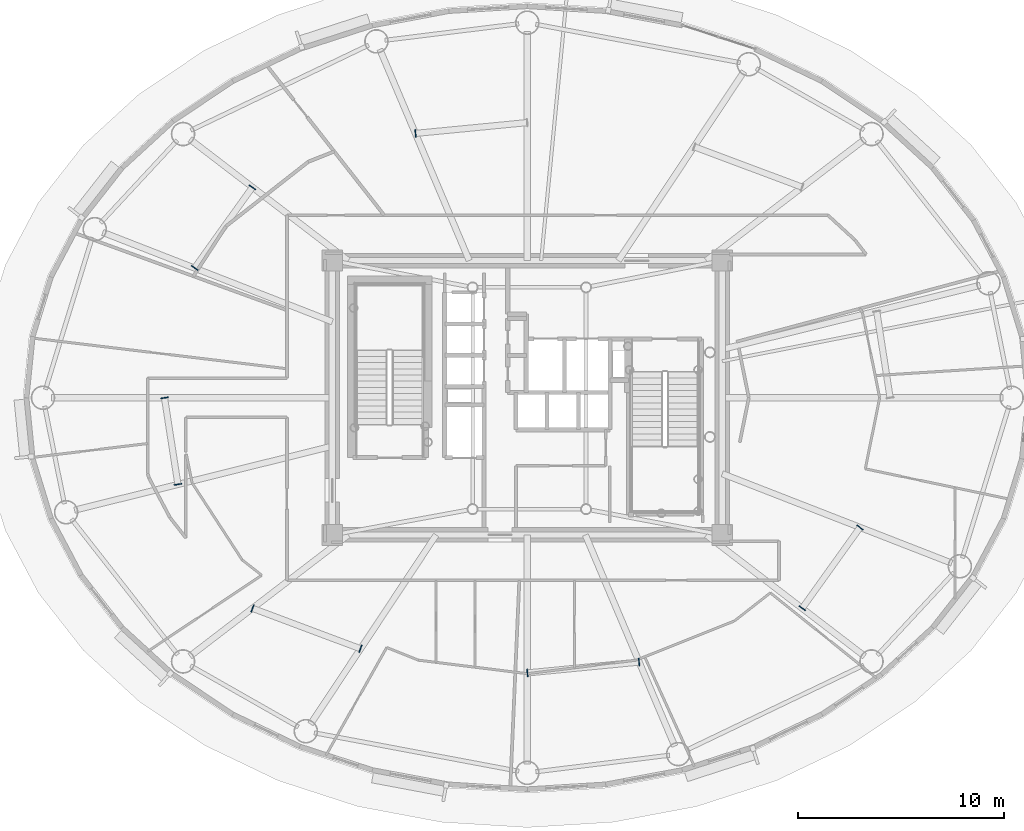
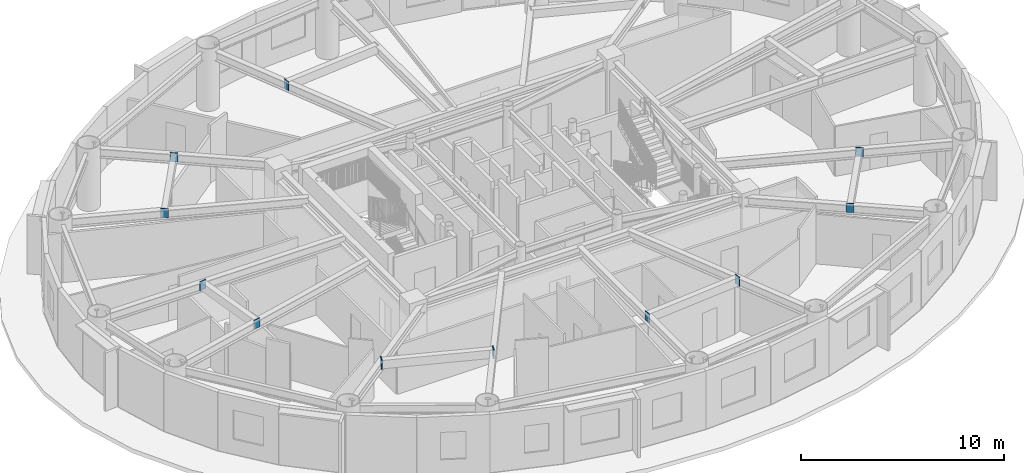
# One storey, part 7 of 19: 11 plates.
"""IFC4 building model written with IfcOpenShell, lengths in metres."""

from ifc_helpers import new_model, si_unit, direction, frame, origin, origin_2d, place, context, subcontext, project, spatial, rectangle, extrude, source, transform, mapped, material, layer, layer_set, type_object, element, save


model = new_model("IFC4")

# Units and contexts
model_context = context("Model", 3, precision=1e-05, world=origin(), true_north=direction((0.0, 1.0)))
body_context = subcontext(model_context, "Body", "Model", "MODEL_VIEW")
ifc_project = project(units=[si_unit("LENGTHUNIT", "METRE"), si_unit("AREAUNIT", "SQUARE_METRE"), si_unit("VOLUMEUNIT", "CUBIC_METRE"), si_unit("PLANEANGLEUNIT", "RADIAN"), si_unit("MASSUNIT", "GRAM", prefix="KILO")], contexts=[model_context])

# Site, building, storey
site_placement = place(None, origin())
site = spatial("IfcSite", under=ifc_project, at=site_placement, CompositionType="ELEMENT")
building_placement = place(site_placement, origin())
building = spatial("IfcBuilding", under=site, at=building_placement, Name="Linh Dai School and Residence Tower", CompositionType="ELEMENT")
storey_placement = place(building_placement, frame((0.0, 0.0, 210.300048828125)))
storey = spatial("IfcBuildingStorey", under=building, at=storey_placement, Name="L51", CompositionType="ELEMENT", Elevation=210.300048828125)

# Plates
ifc_material = material(Name="Structural Steel S355JR", Category="steel")
ifc_layer = layer(ifc_material, 0.0400390625)
ifc_layer_set = layer_set([ifc_layer], Name="Structural Steel S355JR")
plate_type = type_object("IfcPlateType", Name="PLT-GP1", PredefinedType="USERDEFINED", material=ifc_layer_set)
shared_shape = source(origin(), body_context, "Body", "SweptSolid", [
    extrude(rectangle(XDim=0.0400390625, YDim=0.3798828125, at=origin_2d()), origin(), (0.0, 0.0, 1.0), 0.5400390625),
])
for number, where, z_axis, x_axis, name in (
    (1, (30.581787109375, 39.81201171875, 2.97998046875), (0.0, 0.0, 1.0), (-0.995333315624, -0.096496584447, 0.0), "L51 Secondary Beam End Plate 03B"),
    (2, (22.675048828125, 37.201904296875, 2.97998046875), (0.0, 0.0, 1.0), (-0.582040406941, -0.813159864164, 0.0), "L51 Secondary Beam End Plate 04A"),
    (3, (19.8740234375, 33.28857421875, 2.97998046875), (0.0, 0.0, 1.0), (-0.582040406941, -0.813159864164, 0.0), "L51 Secondary Beam End Plate 04B"),
    (4, (18.416259765625, 26.9951171875, 2.97998046875), (0.0, 0.0, 1.0), (0.153185627242, -0.988197431492, 0.0), "L51 Secondary Beam End Plate 05A"),
    (5, (19.06640625, 22.801025390625, 2.97998046875), (0.0, 0.0, 1.0), (0.153185627242, -0.988197431492, 0.0), "L51 Secondary Beam End Plate 05B"),
    (6, (22.6826171875, 16.792236328125, 2.97998046875), (0.0, 0.0, 1.0), (0.936533727109, -0.35057749213, 0.0), "L51 Secondary Beam End Plate 06A"),
    (7, (27.914306640625, 14.833984375, 2.97998046875), (0.0, 0.0, 1.0), (0.936533727109, -0.35057749213, 0.0), "L51 Secondary Beam End Plate 06B"),
    (8, (36.0048828125, 13.6630859375, 2.97998046875), (0.0, 0.0, 1.0), (0.995333315624, 0.096496584447, 0.0), "L51 Secondary Beam End Plate 07A"),
    (9, (41.418212890625, 14.18798828125, 2.97998046875), (0.0, 0.0, 1.0), (0.995333315624, 0.096496584447, 0.0), "L51 Secondary Beam End Plate 07B"),
    (10, (49.324951171875, 16.798095703125, 2.97998046875), (0.0, 0.0, 1.0), (0.582040406941, 0.813159864164, 0.0), "L51 Secondary Beam End Plate 08A"),
    (11, (52.1259765625, 20.71142578125, 2.97998046875), (0.0, 0.0, 1.0), (0.582040406941, 0.813159864164, 0.0), "L51 Secondary Beam End Plate 08B"),
):
    element("IfcPlate", number, at=place(storey_placement, frame(where, z_axis=z_axis, x_axis=x_axis)), inside=storey, type_object=plate_type, Name=name, ObjectType="GUSSET PLATE", PredefinedType="USERDEFINED", context=body_context, shape_type="MappedRepresentation", body=[
        mapped(shared_shape, transform((0.0, 0.0, 0.0), x_axis=(1.0, 0.0, 0.0), y_axis=(0.0, 1.0, 0.0), z_axis=(0.0, 0.0, 1.0), scale=1.0)),
    ])

save(model, "model.ifc")
